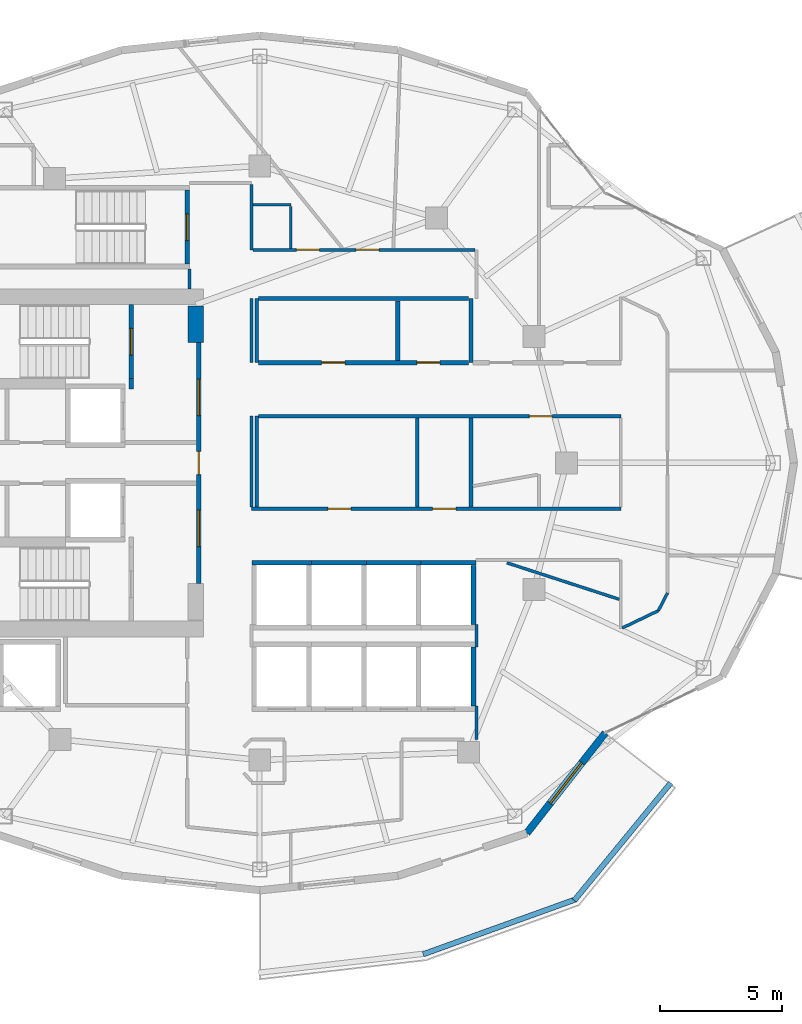
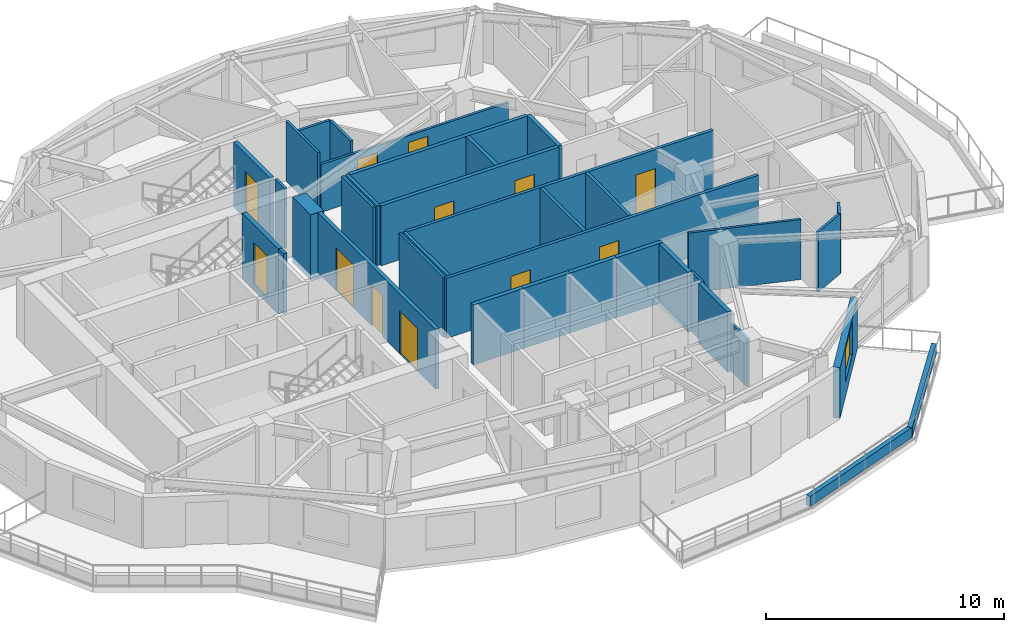
# One storey, part 7 of 13: 36 walls, 12 doors, 1 window, 13 openings.
"""IFC4 building model written with IfcOpenShell, lengths in metres."""

from ifc_helpers import new_model, si_unit, direction, frame, frame_2d, origin, place, context, subcontext, project, spatial, rectangle, extrude, material, layer, layer_set, type_object, element, fill, save


model = new_model("IFC4")

# Units and contexts
model_context = context("Model", 3, precision=1e-05, world=origin(), true_north=direction((0.0, 1.0)))
body_context = subcontext(model_context, "Body", "Model", "MODEL_VIEW")
ifc_project = project(units=[si_unit("LENGTHUNIT", "METRE"), si_unit("AREAUNIT", "SQUARE_METRE"), si_unit("VOLUMEUNIT", "CUBIC_METRE"), si_unit("PLANEANGLEUNIT", "RADIAN"), si_unit("MASSUNIT", "GRAM", prefix="KILO")], contexts=[model_context])

# Site, building, storey
site_placement = place(None, origin())
site = spatial("IfcSite", under=ifc_project, at=site_placement, CompositionType="ELEMENT")
building_placement = place(site_placement, origin())
building = spatial("IfcBuilding", under=site, at=building_placement, Name="Kolvaren Gate Tower and Convention Centre", CompositionType="ELEMENT")
storey_placement = place(building_placement, frame((0.0, 0.0, 183.5)))
storey = spatial("IfcBuildingStorey", under=building, at=storey_placement, Name="L48", CompositionType="ELEMENT", Elevation=183.5)

# Wall
ifc_material_1 = material(Name="Autoclaved Aerated Masonry Blockwork Class 4 (4.0 MPa)", Category="masonry")
ifc_layer_1 = layer(ifc_material_1, 0.179931640625)
ifc_layer_set_1 = layer_set([ifc_layer_1], Name="Autoclaved Aerated Masonry Blockwork Class 4 (4.0 MPa)")
wall_type_1 = type_object("IfcWallType", Name="ARCH-WL-COMP-180", PredefinedType="SOLIDWALL", material=ifc_layer_set_1)
wall_1_placement = place(storey_placement, frame((24.85009765625, 30.0400390625, 0.0), z_axis=(0.0, 0.0, 1.0), x_axis=(0.0, 1.0, 0.0)))
element("IfcWall", 1, at=wall_1_placement, inside=storey, type_object=wall_type_1, Name="Interior Partition WL-L48-INT-002", PredefinedType="SOLIDWALL", context=body_context, shape_type="SweptSolid", body=[
    extrude(rectangle(XDim=0.419921875, YDim=0.179931640625, at=frame_2d((0.2099609375, 0.0))), origin(), (0.0, 0.0, 1.0), 3.080078125),
])

# Wall, openings, doors
wall_2_placement = place(storey_placement, frame((27.6201171875, 22.050048828125, 0.0), z_axis=(0.0, 0.0, 1.0), x_axis=(0.0, 1.0, 0.0)))
wall_2 = element("IfcWall", 2, at=wall_2_placement, inside=storey, type_object=wall_type_1, Name="Interior Partition WL-L48-INT-003", PredefinedType="SOLIDWALL", context=body_context, shape_type="SweptSolid", body=[
    extrude(rectangle(XDim=9.89990234375, YDim=0.179931640625, at=frame_2d((4.949951171875, 0.0))), origin(), (0.0, 0.0, 1.0), 3.080078125),
])
opening_1_placement = place(wall_2_placement, frame((4.47509765625, 0.0, 0.0)))
opening_1 = element("IfcOpeningElement", 3, at=opening_1_placement, cuts=wall_2, Name="Opening DR-01", PredefinedType="OPENING", context=body_context, shape_type="SweptSolid", body=[
    extrude(rectangle(XDim=0.949951171875, YDim=2.10009765625, at=frame_2d((0.47509765625, 1.050048828125))), frame((0.0, 0.099853515625, 0.0), z_axis=(0.0, -1.0, 0.0), x_axis=(1.0, 0.0, 0.0)), (0.0, 0.0, 1.0), 0.199951171875),
])
opening_2_placement = place(wall_2_placement, frame((6.889892578125, 0.0, 0.0)))
opening_2 = element("IfcOpeningElement", 4, at=opening_2_placement, cuts=wall_2, Name="Opening DL-01", PredefinedType="OPENING", context=body_context, shape_type="SweptSolid", body=[
    extrude(rectangle(XDim=1.5, YDim=2.199951171875, at=frame_2d((0.75, 1.10009765625))), frame((0.0, 0.099853515625, 0.0), z_axis=(0.0, -1.0, 0.0), x_axis=(1.0, 0.0, 0.0)), (0.0, 0.0, 1.0), 0.199951171875),
])
opening_3_placement = place(wall_2_placement, frame((1.510009765625, 0.0, 0.0)))
opening_3 = element("IfcOpeningElement", 5, at=opening_3_placement, cuts=wall_2, Name="Opening DL-01", PredefinedType="OPENING", context=body_context, shape_type="SweptSolid", body=[
    extrude(rectangle(XDim=1.5, YDim=2.199951171875, at=frame_2d((0.75, 1.10009765625))), frame((0.0, 0.099853515625, 0.0), z_axis=(0.0, -1.0, 0.0), x_axis=(1.0, 0.0, 0.0)), (0.0, 0.0, 1.0), 0.199951171875),
])
ifc_material_2 = material(Name="Painted Architectural Steelwork ASTM A500 Grade C 345 MPa", Category="steel")
door_type_1 = type_object("IfcDoorType", Name="ARCH-DR-LOBBY-1500", OperationType="DOUBLE_DOOR_SINGLE_SWING", PredefinedType="DOOR", material=ifc_material_2)
door_1_placement = place(opening_2_placement, origin())
door_1 = element("IfcDoor", 6, at=door_1_placement, inside=storey, type_object=door_type_1, Name="North Firefighting Stair and Lift Lobby Door", OperationType="DOUBLE_DOOR_SINGLE_SWING", OverallHeight=2.199951171875, OverallWidth=1.5, PredefinedType="DOOR", context=body_context, shape_type="SweptSolid", body=[
    extrude(rectangle(XDim=1.5, YDim=2.199951171875, at=frame_2d((0.75, 1.10009765625))), frame((0.0, 0.02490234375, 0.0), z_axis=(0.0, -1.0, 0.0), x_axis=(1.0, 0.0, 0.0)), (0.0, 0.0, 1.0), 0.050048828125),
])
fill(opening_2, door_1)
door_2_placement = place(opening_3_placement, origin())
door_2 = element("IfcDoor", 7, at=door_2_placement, inside=storey, type_object=door_type_1, Name="South Firefighting Stair and Lift Lobby Door", OperationType="DOUBLE_DOOR_SINGLE_SWING", OverallHeight=2.199951171875, OverallWidth=1.5, PredefinedType="DOOR", context=body_context, shape_type="SweptSolid", body=[
    extrude(rectangle(XDim=1.5, YDim=2.199951171875, at=frame_2d((0.75, 1.10009765625))), frame((0.0, 0.02490234375, 0.0), z_axis=(0.0, -1.0, 0.0), x_axis=(1.0, 0.0, 0.0)), (0.0, 0.0, 1.0), 0.050048828125),
])
fill(opening_3, door_2)
door_type_2 = type_object("IfcDoorType", Name="ARCH-DR-RISER-950", OperationType="SINGLE_SWING_RIGHT", PredefinedType="DOOR", material=ifc_material_2)
door_3_placement = place(opening_1_placement, origin())
door_3 = element("IfcDoor", 8, at=door_3_placement, inside=storey, type_object=door_type_2, Name="Central MEP Service Corridor Door", OperationType="SINGLE_SWING_LEFT", OverallHeight=2.10009765625, OverallWidth=0.949951171875, PredefinedType="DOOR", context=body_context, shape_type="SweptSolid", body=[
    extrude(rectangle(XDim=0.949951171875, YDim=2.10009765625, at=frame_2d((0.47509765625, 1.050048828125))), frame((0.0, 0.02490234375, 0.0), z_axis=(0.0, -1.0, 0.0), x_axis=(1.0, 0.0, 0.0)), (0.0, 0.0, 1.0), 0.050048828125),
])
fill(opening_1, door_3)

# Wall
wall_3_placement = place(storey_placement, frame((38.800048828125, 31.1201171875, 0.0), z_axis=(0.0, 0.0, 1.0), x_axis=(0.0, 1.0, 0.0)))
element("IfcWall", 9, at=wall_3_placement, inside=storey, type_object=wall_type_1, Name="Interior Partition WL-L48-INT-018", PredefinedType="SOLIDWALL", context=body_context, shape_type="SweptSolid", body=[
    extrude(rectangle(XDim=2.6298828125, YDim=0.179931640625, at=frame_2d((1.31494140625, 0.0))), origin(), (0.0, 0.0, 1.0), 3.080078125),
])

# Wall, openings, doors
wall_4_placement = place(storey_placement, frame((30.076904296875, 31.1201171875, 0.0), z_axis=(0.0, 0.0, 1.0), x_axis=(1.0, 0.0, 0.0)))
wall_4 = element("IfcWall", 10, at=wall_4_placement, inside=storey, type_object=wall_type_1, Name="Interior Partition WL-L48-INT-019", PredefinedType="SOLIDWALL", context=body_context, shape_type="SweptSolid", body=[
    extrude(rectangle(XDim=8.631103515625, YDim=0.179931640625, at=frame_2d((4.3154296875, 0.0))), origin(), (0.0, 0.0, 1.0), 3.080078125),
])
opening_4_placement = place(wall_4_placement, frame((2.591552734375, 0.0, 0.0)))
opening_4 = element("IfcOpeningElement", 11, at=opening_4_placement, cuts=wall_4, Name="Opening DR-01", PredefinedType="OPENING", context=body_context, shape_type="SweptSolid", body=[
    extrude(rectangle(XDim=0.949951171875, YDim=2.10009765625, at=frame_2d((0.47509765625, 1.050048828125))), frame((0.0, 0.099853515625, 0.0), z_axis=(0.0, -1.0, 0.0), x_axis=(1.0, 0.0, 0.0)), (0.0, 0.0, 1.0), 0.199951171875),
])
opening_5_placement = place(wall_4_placement, frame((6.4970703125, 0.0, 0.0)))
opening_5 = element("IfcOpeningElement", 12, at=opening_5_placement, cuts=wall_4, Name="Opening DR-01", PredefinedType="OPENING", context=body_context, shape_type="SweptSolid", body=[
    extrude(rectangle(XDim=0.949951171875, YDim=2.10009765625, at=frame_2d((0.47509765625, 1.050048828125))), frame((0.0, 0.099853515625, 0.0), z_axis=(0.0, -1.0, 0.0), x_axis=(1.0, 0.0, 0.0)), (0.0, 0.0, 1.0), 0.199951171875),
])
door_4_placement = place(opening_4_placement, origin())
door_4 = element("IfcDoor", 13, at=door_4_placement, inside=storey, type_object=door_type_2, Name="Steward Supply Store Door", OperationType="SINGLE_SWING_LEFT", OverallHeight=2.10009765625, OverallWidth=0.949951171875, PredefinedType="DOOR", context=body_context, shape_type="SweptSolid", body=[
    extrude(rectangle(XDim=0.949951171875, YDim=2.10009765625, at=frame_2d((0.47509765625, 1.050048828125))), frame((0.0, 0.02490234375, 0.0), z_axis=(0.0, -1.0, 0.0), x_axis=(1.0, 0.0, 0.0)), (0.0, 0.0, 1.0), 0.050048828125),
])
fill(opening_4, door_4)
door_5_placement = place(opening_5_placement, origin())
door_5 = element("IfcDoor", 14, at=door_5_placement, inside=storey, type_object=door_type_2, Name="Floor Telecom Switch Room Door", OperationType="SINGLE_SWING_RIGHT", OverallHeight=2.10009765625, OverallWidth=0.949951171875, PredefinedType="DOOR", context=body_context, shape_type="SweptSolid", body=[
    extrude(rectangle(XDim=0.949951171875, YDim=2.10009765625, at=frame_2d((0.47509765625, 1.050048828125))), frame((0.0, 0.02490234375, 0.0), z_axis=(0.0, -1.0, 0.0), x_axis=(1.0, 0.0, 0.0)), (0.0, 0.0, 1.0), 0.050048828125),
])
fill(opening_5, door_5)

# Walls
wall_5_placement = place(storey_placement, frame((30.076904296875, 33.75, 0.0), z_axis=(0.0, 0.0, 1.0), x_axis=(1.0, 0.0, 0.0)))
element("IfcWall", 15, at=wall_5_placement, inside=storey, type_object=wall_type_1, Name="Interior Partition WL-L48-INT-020", PredefinedType="SOLIDWALL", context=body_context, shape_type="SweptSolid", body=[
    extrude(rectangle(XDim=8.631103515625, YDim=0.179931640625, at=frame_2d((4.3154296875, 0.0))), origin(), (0.0, 0.0, 1.0), 3.080078125),
])
wall_6_placement = place(storey_placement, frame((35.800048828125, 31.2119140625, 0.0), z_axis=(0.0, 0.0, 1.0), x_axis=(0.0, 1.0, 0.0)))
element("IfcWall", 16, at=wall_6_placement, inside=storey, type_object=wall_type_1, Name="Interior Partition WL-L48-INT-021", PredefinedType="SOLIDWALL", context=body_context, shape_type="SweptSolid", body=[
    extrude(rectangle(XDim=2.446044921875, YDim=0.179931640625, at=frame_2d((1.22314453125, 0.0))), origin(), (0.0, 0.0, 1.0), 3.080078125),
])
ifc_material_3 = material(Name="Fire-Rated Acoustic Gypsum Stud Partition", Category="gypsum")
ifc_layer_2 = layer(ifc_material_3, 0.1201171875)
ifc_layer_set_2 = layer_set([ifc_layer_2], Name="Fire-Rated Acoustic Gypsum Stud Partition")
wall_type_2 = type_object("IfcWallType", Name="ARCH-WL-PART-120", PredefinedType="PARTITIONING", material=ifc_layer_set_2)
wall_7_placement = place(storey_placement, frame((39.02001953125, 15.64990234375, 0.0), z_axis=(0.0, 0.0, 1.0), x_axis=(0.0, 1.0, 0.0)))
element("IfcWall", 17, at=wall_7_placement, inside=storey, type_object=wall_type_2, Name="Interior Partition WL-L48-INT-022", PredefinedType="PARTITIONING", context=body_context, shape_type="SweptSolid", body=[
    extrude(rectangle(XDim=1.360107421875, YDim=0.1201171875, at=frame_2d((0.68017578125, 0.0))), origin(), (0.0, 0.0, 1.0), 2.455078125),
])
wall_8_placement = place(storey_placement, frame((39.02001953125, 19.43994140625, 0.0), z_axis=(0.0, 0.0, 1.0), x_axis=(0.0, 1.0, 0.0)))
element("IfcWall", 18, at=wall_8_placement, inside=storey, type_object=wall_type_2, Name="Interior Partition WL-L48-INT-022 (2)", PredefinedType="PARTITIONING", context=body_context, shape_type="SweptSolid", body=[
    extrude(rectangle(XDim=0.920166015625, YDim=0.1201171875, at=frame_2d((0.4599609375, 0.0))), origin(), (0.0, 0.0, 1.0), 3.080078125),
])
wall_9_placement = place(storey_placement, frame((27.25, 34.152099609375, 0.0), z_axis=(0.0, 0.0, 1.0), x_axis=(0.0, 1.0, 0.0)))
element("IfcWall", 19, at=wall_9_placement, inside=storey, type_object=wall_type_2, Name="Interior Partition WL-L48-INT-029", PredefinedType="PARTITIONING", context=body_context, shape_type="SweptSolid", body=[
    extrude(rectangle(XDim=0.805908203125, YDim=0.1201171875, at=frame_2d((0.40283203125, 0.0))), origin(), (0.0, 0.0, 1.0), 3.080078125),
])
wall_10_placement = place(storey_placement, frame((29.780029296875, 25.197021484375, 0.0), z_axis=(0.0, 0.0, 1.0), x_axis=(0.0, 1.0, 0.0)))
element("IfcWall", 20, at=wall_10_placement, inside=storey, type_object=wall_type_2, Name="Interior Partition WL-L48-INT-032", PredefinedType="PARTITIONING", context=body_context, shape_type="SweptSolid", body=[
    extrude(rectangle(XDim=3.722900390625, YDim=0.1201171875, at=frame_2d((1.861328125, 0.0))), origin(), (0.0, 0.0, 1.0), 3.080078125),
])
wall_11_placement = place(storey_placement, frame((29.780029296875, 31.1201171875, 0.0), z_axis=(0.0, 0.0, 1.0), x_axis=(0.0, 1.0, 0.0)))
element("IfcWall", 21, at=wall_11_placement, inside=storey, type_object=wall_type_2, Name="Interior Partition WL-L48-INT-033", PredefinedType="PARTITIONING", context=body_context, shape_type="SweptSolid", body=[
    extrude(rectangle(XDim=2.6298828125, YDim=0.1201171875, at=frame_2d((1.31494140625, 0.0))), origin(), (0.0, 0.0, 1.0), 3.080078125),
])
wall_12_placement = place(storey_placement, frame((29.780029296875, 35.75, 0.0), z_axis=(0.0, 0.0, 1.0), x_axis=(0.0, 1.0, 0.0)))
element("IfcWall", 22, at=wall_12_placement, inside=storey, type_object=wall_type_2, Name="Interior Partition WL-L48-INT-034", PredefinedType="PARTITIONING", context=body_context, shape_type="SweptSolid", body=[
    extrude(rectangle(XDim=2.68798828125, YDim=0.1201171875, at=frame_2d((1.343994140625, 0.0))), origin(), (0.0, 0.0, 1.0), 3.080078125),
])

# Wall, openings, doors
wall_13_placement = place(storey_placement, frame((29.842041015625, 35.75, 0.0), z_axis=(0.0, 0.0, 1.0), x_axis=(1.0, 0.0, 0.0)))
wall_13 = element("IfcWall", 23, at=wall_13_placement, inside=storey, type_object=wall_type_2, Name="Interior Partition WL-L48-INT-035", PredefinedType="PARTITIONING", context=body_context, shape_type="SweptSolid", body=[
    extrude(rectangle(XDim=9.115966796875, YDim=0.1201171875, at=frame_2d((4.55810546875, 0.0))), origin(), (0.0, 0.0, 1.0), 2.455078125),
])
opening_6_placement = place(wall_13_placement, frame((4.240478515625, 0.0, 0.0)))
opening_6 = element("IfcOpeningElement", 24, at=opening_6_placement, cuts=wall_13, Name="Opening DR-01", PredefinedType="OPENING", context=body_context, shape_type="SweptSolid", body=[
    extrude(rectangle(XDim=0.949951171875, YDim=2.10009765625, at=frame_2d((0.47509765625, 1.050048828125))), frame((0.0, 0.070068359375, 0.0), z_axis=(0.0, -1.0, 0.0), x_axis=(1.0, 0.0, 0.0)), (0.0, 0.0, 1.0), 0.14013671875),
])
opening_7_placement = place(wall_13_placement, frame((1.784912109375, 0.0, 0.0)))
opening_7 = element("IfcOpeningElement", 25, at=opening_7_placement, cuts=wall_13, Name="Opening DR-01", PredefinedType="OPENING", context=body_context, shape_type="SweptSolid", body=[
    extrude(rectangle(XDim=0.949951171875, YDim=2.10009765625, at=frame_2d((0.47509765625, 1.050048828125))), frame((0.0, 0.070068359375, 0.0), z_axis=(0.0, -1.0, 0.0), x_axis=(1.0, 0.0, 0.0)), (0.0, 0.0, 1.0), 0.14013671875),
])
door_6_placement = place(opening_6_placement, origin())
door_6 = element("IfcDoor", 26, at=door_6_placement, inside=storey, type_object=door_type_2, Name="Hotel Botanical Clubroom Door", OperationType="SINGLE_SWING_LEFT", OverallHeight=2.10009765625, OverallWidth=0.949951171875, PredefinedType="DOOR", context=body_context, shape_type="SweptSolid", body=[
    extrude(rectangle(XDim=0.949951171875, YDim=2.10009765625, at=frame_2d((0.47509765625, 1.050048828125))), frame((0.0, 0.02490234375, 0.0), z_axis=(0.0, -1.0, 0.0), x_axis=(1.0, 0.0, 0.0)), (0.0, 0.0, 1.0), 0.050048828125),
])
fill(opening_6, door_6)
door_7_placement = place(opening_7_placement, origin())
door_7 = element("IfcDoor", 27, at=door_7_placement, inside=storey, type_object=door_type_2, Name="Hotel Guest Room (HTL-L48-08) Door", OperationType="SINGLE_SWING_RIGHT", OverallHeight=2.10009765625, OverallWidth=0.949951171875, PredefinedType="DOOR", context=body_context, shape_type="SweptSolid", body=[
    extrude(rectangle(XDim=0.949951171875, YDim=2.10009765625, at=frame_2d((0.47509765625, 1.050048828125))), frame((0.0, 0.02490234375, 0.0), z_axis=(0.0, -1.0, 0.0), x_axis=(1.0, 0.0, 0.0)), (0.0, 0.0, 1.0), 0.050048828125),
])
fill(opening_7, door_7)

# Walls
wall_14_placement = place(storey_placement, frame((46.493896484375, 20.93408203125, 0.0), z_axis=(0.0, 0.0, 1.0), x_axis=(0.460674892026, 0.887568951607, 0.0)))
element("IfcWall", 28, at=wall_14_placement, inside=storey, type_object=wall_type_2, Name="Interior Partition WL-L48-INT-042", PredefinedType="PARTITIONING", context=body_context, shape_type="SweptSolid", body=[
    extrude(rectangle(XDim=0.816650390625, YDim=0.1201171875, at=frame_2d((0.408203125, 0.0))), origin(), (0.0, 0.0, 1.0), 3.080078125),
])
wall_15_placement = place(storey_placement, frame((45.011962890625, 20.2216796875, 0.0), z_axis=(0.0, 0.0, 1.0), x_axis=(0.901268034538, 0.433261964544, 0.0)))
element("IfcWall", 29, at=wall_15_placement, inside=storey, type_object=wall_type_2, Name="Interior Partition WL-L48-INT-043", PredefinedType="PARTITIONING", context=body_context, shape_type="SweptSolid", body=[
    extrude(rectangle(XDim=1.644287109375, YDim=0.1201171875, at=frame_2d((0.822265625, 0.0))), origin(), (0.0, 0.0, 1.0), 3.080078125),
])
wall_16_placement = place(storey_placement, frame((29.842041015625, 37.60009765625, 0.0), z_axis=(0.0, 0.0, 1.0), x_axis=(1.0, 0.0, 0.0)))
element("IfcWall", 30, at=wall_16_placement, inside=storey, type_object=wall_type_2, Name="Interior Partition WL-L48-INT-050", PredefinedType="PARTITIONING", context=body_context, shape_type="SweptSolid", body=[
    extrude(rectangle(XDim=1.557861328125, YDim=0.1201171875, at=frame_2d((0.77880859375, 0.0))), origin(), (0.0, 0.0, 1.0), 3.080078125),
])
wall_17_placement = place(storey_placement, frame((31.39990234375, 35.81201171875, 0.0), z_axis=(0.0, 0.0, 1.0), x_axis=(0.0, 1.0, 0.0)))
element("IfcWall", 31, at=wall_17_placement, inside=storey, type_object=wall_type_2, Name="Interior Partition WL-L48-INT-052", PredefinedType="PARTITIONING", context=body_context, shape_type="SweptSolid", body=[
    extrude(rectangle(XDim=1.72607421875, YDim=0.1201171875, at=frame_2d((0.863037109375, 0.0))), origin(), (0.0, 0.0, 1.0), 3.080078125),
])
wall_18_placement = place(storey_placement, frame((40.277587890625, 22.89794921875, 0.0), z_axis=(0.0, 0.0, 1.0), x_axis=(0.951068113263, -0.3089813003, 0.0)))
element("IfcWall", 32, at=wall_18_placement, inside=storey, type_object=wall_type_2, Name="Interior Partition WL-L48-INT-053", PredefinedType="PARTITIONING", context=body_context, shape_type="SweptSolid", body=[
    extrude(rectangle(XDim=4.84765625, YDim=0.1201171875, at=frame_2d((2.423828125, 0.0))), origin(), (0.0, 0.0, 1.0), 3.080078125),
])
ifc_material_4 = material(Name="Piedmont Cream Honed Limestone Cladding", Category="masonry")
ifc_layer_3 = layer(ifc_material_4, 0.219970703125)
ifc_layer_set_3 = layer_set([ifc_layer_3], Name="Piedmont Cream Honed Limestone Cladding")
wall_type_3 = type_object("IfcWallType", Name="ARCH-WL-PLANTER-220", PredefinedType="PARAPET", material=ifc_layer_set_3)
wall_19_placement = place(storey_placement, frame((36.836669921875, 6.826171875, 0.0), z_axis=(0.0, 0.0, 1.0), x_axis=(0.940948576924, 0.338549517184, 0.0)))
element("IfcWall", 33, at=wall_19_placement, inside=storey, type_object=wall_type_3, Name="Vertical-Forest Balcony Stone Planter Kerb PK-L48-3.2", PredefinedType="PARAPET", context=body_context, shape_type="SweptSolid", body=[
    extrude(rectangle(XDim=6.6640625, YDim=0.219970703125, at=frame_2d((3.33203125, 0.0))), origin(), (0.0, 0.0, 1.0), 0.52001953125),
])
wall_20_placement = place(storey_placement, frame((43.0419921875, 9.03564453125, 0.0), z_axis=(0.0, 0.0, 1.0), x_axis=(0.634429234628, 0.77298094818, 0.0)))
element("IfcWall", 34, at=wall_20_placement, inside=storey, type_object=wall_type_3, Name="Vertical-Forest Balcony Stone Planter Kerb PK-L48-3.3", PredefinedType="PARAPET", context=body_context, shape_type="SweptSolid", body=[
    extrude(rectangle(XDim=6.244873046875, YDim=0.219970703125, at=frame_2d((3.12255859375, 0.0))), origin(), (0.0, 0.0, 1.0), 0.52001953125),
])
ifc_layer_4 = layer(ifc_material_1, 0.199951171875)
ifc_layer_set_4 = layer_set([ifc_layer_4], Name="Autoclaved Aerated Masonry Blockwork Class 4 (4.0 MPa)")
wall_type_4 = type_object("IfcWallType", Name="ARCH-WL-SHAFT-200", PredefinedType="SOLIDWALL", material=ifc_layer_set_4)
wall_21_placement = place(storey_placement, frame((38.89990234375, 17.010009765625, 0.0), z_axis=(0.0, 0.0, 1.0), x_axis=(0.0, 1.0, 0.0)))
element("IfcWall", 35, at=wall_21_placement, inside=storey, type_object=wall_type_4, Name="Elevator PL-08 L48 Fire Shaft Wall E", PredefinedType="SOLIDWALL", context=body_context, shape_type="SweptSolid", body=[
    extrude(rectangle(XDim=2.429931640625, YDim=0.199951171875, at=frame_2d((1.21484375, 0.0))), origin(), (0.0, 0.0, 1.0), 3.080078125),
])
wall_22_placement = place(storey_placement, frame((29.800048828125, 22.89990234375, 0.0), z_axis=(0.0, 0.0, 1.0), x_axis=(1.0, 0.0, 0.0)))
element("IfcWall", 36, at=wall_22_placement, inside=storey, type_object=wall_type_4, Name="Elevator PL-09 L48 Fire Shaft Wall N", PredefinedType="SOLIDWALL", context=body_context, shape_type="SweptSolid", body=[
    extrude(rectangle(XDim=2.449951171875, YDim=0.199951171875, at=frame_2d((1.22509765625, 0.0))), origin(), (0.0, 0.0, 1.0), 3.080078125),
])
for number, where, z_axis, x_axis, name in (
    (37, (32.25, 22.89990234375, 0.0), (0.0, 0.0, 1.0), (1.0, 0.0, 0.0), "Elevator PL-10 L48 Fire Shaft Wall N"),
    (38, (34.5, 22.89990234375, 0.0), (0.0, 0.0, 1.0), (1.0, 0.0, 0.0), "Elevator PL-11 L48 Fire Shaft Wall N"),
    (39, (36.75, 22.89990234375, 0.0), (0.0, 0.0, 1.0), (1.0, 0.0, 0.0), "Elevator PL-12 L48 Fire Shaft Wall N"),
):
    element("IfcWall", number, at=place(storey_placement, frame(where, z_axis=z_axis, x_axis=x_axis)), inside=storey, type_object=wall_type_4, Name=name, PredefinedType="SOLIDWALL", context=body_context, shape_type="SweptSolid", body=[
        extrude(rectangle(XDim=2.25, YDim=0.199951171875, at=frame_2d((1.125, 0.0))), origin(), (0.0, 0.0, 1.0), 3.080078125),
    ])
wall_23_placement = place(storey_placement, frame((38.89990234375, 20.360107421875, 0.0), z_axis=(0.0, 0.0, 1.0), x_axis=(0.0, 1.0, 0.0)))
element("IfcWall", 40, at=wall_23_placement, inside=storey, type_object=wall_type_4, Name="Elevator PL-12 L48 Fire Shaft Wall E", PredefinedType="SOLIDWALL", context=body_context, shape_type="SweptSolid", body=[
    extrude(rectangle(XDim=2.429931640625, YDim=0.199951171875, at=frame_2d((1.21484375, 0.0))), origin(), (0.0, 0.0, 1.0), 3.080078125),
])

# Wall, opening, window
ifc_layer_5 = layer(ifc_material_4, 0.300048828125)
ifc_layer_set_5 = layer_set([ifc_layer_5], Name="Piedmont Cream Honed Limestone Cladding")
wall_type_5 = type_object("IfcWallType", Name="ARCH-WL-STONE-300", PredefinedType="SOLIDWALL", material=ifc_layer_set_5)
wall_24_placement = place(storey_placement, frame((41.09375, 11.80126953125, 0.0), z_axis=(0.0, 0.0, 1.0), x_axis=(0.616429245738, 0.787410302828, 0.0)))
wall_24 = element("IfcWall", 41, at=wall_24_placement, inside=storey, type_object=wall_type_5, Name="Tower L48 Honed Stone Spandrel Wall EW-20", PredefinedType="SOLIDWALL", context=body_context, shape_type="SweptSolid", body=[
    extrude(rectangle(XDim=5.22314453125, YDim=0.300048828125, at=frame_2d((2.611572265625, 0.0))), origin(), (0.0, 0.0, 1.0), 2.60302734375),
])
opening_8_placement = place(wall_24_placement, frame((1.56201171875, 0.0, 0.739990234375)))
opening_8 = element("IfcOpeningElement", 42, at=opening_8_placement, cuts=wall_24, Name="Opening W-02", PredefinedType="OPENING", context=body_context, shape_type="SweptSolid", body=[
    extrude(rectangle(XDim=2.10009765625, YDim=1.699951171875, at=frame_2d((1.050048828125, 0.85009765625))), frame((0.0, 0.159912109375, 0.0), z_axis=(0.0, -1.0, 0.0), x_axis=(1.0, 0.0, 0.0)), (0.0, 0.0, 1.0), 0.320068359375),
])
ifc_material_5 = material(Name="Low-E Triple Insulated Glazing Unit 44 mm", Category="glass")
window_type = type_object("IfcWindowType", Name="ARCH-WN-HTL-2100", PartitioningType="SINGLE_PANEL", PredefinedType="WINDOW", material=ifc_material_5)
window_placement = place(opening_8_placement, origin())
window = element("IfcWindow", 43, at=window_placement, inside=storey, type_object=window_type, Name="Tower L48 Punched Stone Facade Window W-20", OverallHeight=1.699951171875, OverallWidth=2.10009765625, PartitioningType="SINGLE_PANEL", PredefinedType="WINDOW", context=body_context, shape_type="SweptSolid", body=[
    extrude(rectangle(XDim=2.10009765625, YDim=1.699951171875, at=frame_2d((1.050048828125, 0.85009765625))), frame((0.0, 0.030029296875, 0.0), z_axis=(0.0, -1.0, 0.0), x_axis=(1.0, 0.0, 0.0)), (0.0, 0.0, 1.0), 0.06005859375),
])
fill(opening_8, window)

# Wall, openings, doors
ifc_material_6 = material(Name="Moisture-Resistant Cement-Board Acoustic Partition", Category="gypsum")
ifc_layer_6 = layer(ifc_material_6, 0.14990234375)
ifc_layer_set_6 = layer_set([ifc_layer_6], Name="Moisture-Resistant Cement-Board Acoustic Partition")
wall_type_6 = type_object("IfcWallType", Name="ARCH-WL-WET-150", PredefinedType="PARTITIONING", material=ifc_layer_set_6)
wall_25_placement = place(storey_placement, frame((29.780029296875, 25.1201171875, 0.0), z_axis=(0.0, 0.0, 1.0), x_axis=(1.0, 0.0, 0.0)))
wall_25 = element("IfcWall", 44, at=wall_25_placement, inside=storey, type_object=wall_type_6, Name="Interior Partition WL-L48-INT-012", PredefinedType="PARTITIONING", context=body_context, shape_type="SweptSolid", body=[
    extrude(rectangle(XDim=15.169921875, YDim=0.14990234375, at=frame_2d((7.5849609375, 0.0))), origin(), (0.0, 0.0, 1.0), 3.080078125),
])
opening_9_placement = place(wall_25_placement, frame((3.139892578125, 0.0, 0.0)))
opening_9 = element("IfcOpeningElement", 45, at=opening_9_placement, cuts=wall_25, Name="Opening DR-01", PredefinedType="OPENING", context=body_context, shape_type="SweptSolid", body=[
    extrude(rectangle(XDim=0.949951171875, YDim=2.10009765625, at=frame_2d((0.47509765625, 1.050048828125))), frame((0.0, 0.0849609375, 0.0), z_axis=(0.0, -1.0, 0.0), x_axis=(1.0, 0.0, 0.0)), (0.0, 0.0, 1.0), 0.169921875),
])
opening_10_placement = place(wall_25_placement, frame((7.445068359375, 0.0, 0.0)))
opening_10 = element("IfcOpeningElement", 46, at=opening_10_placement, cuts=wall_25, Name="Opening DR-01", PredefinedType="OPENING", context=body_context, shape_type="SweptSolid", body=[
    extrude(rectangle(XDim=0.949951171875, YDim=2.10009765625, at=frame_2d((0.47509765625, 1.050048828125))), frame((0.0, 0.0849609375, 0.0), z_axis=(0.0, -1.0, 0.0), x_axis=(1.0, 0.0, 0.0)), (0.0, 0.0, 1.0), 0.169921875),
])
door_8_placement = place(opening_9_placement, origin())
door_8 = element("IfcDoor", 47, at=door_8_placement, inside=storey, type_object=door_type_2, Name="Accessible Universal Washroom Door", OperationType="SINGLE_SWING_LEFT", OverallHeight=2.10009765625, OverallWidth=0.949951171875, PredefinedType="DOOR", context=body_context, shape_type="SweptSolid", body=[
    extrude(rectangle(XDim=0.949951171875, YDim=2.10009765625, at=frame_2d((0.47509765625, 1.050048828125))), frame((0.0, 0.02490234375, 0.0), z_axis=(0.0, -1.0, 0.0), x_axis=(1.0, 0.0, 0.0)), (0.0, 0.0, 1.0), 0.050048828125),
])
fill(opening_9, door_8)
door_9_placement = place(opening_10_placement, origin())
door_9 = element("IfcDoor", 48, at=door_9_placement, inside=storey, type_object=door_type_2, Name="Hotel Housekeeping and Linen Store Door", OperationType="SINGLE_SWING_RIGHT", OverallHeight=2.10009765625, OverallWidth=0.949951171875, PredefinedType="DOOR", context=body_context, shape_type="SweptSolid", body=[
    extrude(rectangle(XDim=0.949951171875, YDim=2.10009765625, at=frame_2d((0.47509765625, 1.050048828125))), frame((0.0, 0.02490234375, 0.0), z_axis=(0.0, -1.0, 0.0), x_axis=(1.0, 0.0, 0.0)), (0.0, 0.0, 1.0), 0.050048828125),
])
fill(opening_10, door_9)

# Walls
wall_26_placement = place(storey_placement, frame((30.0, 25.197021484375, 0.0), z_axis=(0.0, 0.0, 1.0), x_axis=(0.0, 1.0, 0.0)))
element("IfcWall", 49, at=wall_26_placement, inside=storey, type_object=wall_type_6, Name="Interior Partition WL-L48-INT-013", PredefinedType="PARTITIONING", context=body_context, shape_type="SweptSolid", body=[
    extrude(rectangle(XDim=3.722900390625, YDim=0.14990234375, at=frame_2d((1.861328125, 0.0))), origin(), (0.0, 0.0, 1.0), 3.080078125),
])
wall_27_placement = place(storey_placement, frame((30.0, 31.1201171875, 0.0), z_axis=(0.0, 0.0, 1.0), x_axis=(0.0, 1.0, 0.0)))
element("IfcWall", 50, at=wall_27_placement, inside=storey, type_object=wall_type_6, Name="Interior Partition WL-L48-INT-014", PredefinedType="PARTITIONING", context=body_context, shape_type="SweptSolid", body=[
    extrude(rectangle(XDim=2.6298828125, YDim=0.14990234375, at=frame_2d((1.31494140625, 0.0))), origin(), (0.0, 0.0, 1.0), 3.080078125),
])

# Wall, opening, door
wall_28_placement = place(storey_placement, frame((30.076904296875, 28.919921875, 0.0), z_axis=(0.0, 0.0, 1.0), x_axis=(1.0, 0.0, 0.0)))
wall_28 = element("IfcWall", 51, at=wall_28_placement, inside=storey, type_object=wall_type_6, Name="Interior Partition WL-L48-INT-015", PredefinedType="PARTITIONING", context=body_context, shape_type="SweptSolid", body=[
    extrude(rectangle(XDim=14.873046875, YDim=0.14990234375, at=frame_2d((7.4365234375, 0.0))), origin(), (0.0, 0.0, 1.0), 3.080078125),
])
opening_11_placement = place(wall_28_placement, frame((11.117919921875, 0.0, 0.0)))
opening_11 = element("IfcOpeningElement", 52, at=opening_11_placement, cuts=wall_28, Name="Opening DR-01", PredefinedType="OPENING", context=body_context, shape_type="SweptSolid", body=[
    extrude(rectangle(XDim=0.949951171875, YDim=2.10009765625, at=frame_2d((0.47509765625, 1.050048828125))), frame((0.0, 0.0849609375, 0.0), z_axis=(0.0, -1.0, 0.0), x_axis=(1.0, 0.0, 0.0)), (0.0, 0.0, 1.0), 0.169921875),
])
door_10_placement = place(opening_11_placement, origin())
door_10 = element("IfcDoor", 53, at=door_10_placement, inside=storey, type_object=door_type_2, Name="Sky Gastronomy Restaurant Door", OperationType="SINGLE_SWING_RIGHT", OverallHeight=2.10009765625, OverallWidth=0.949951171875, PredefinedType="DOOR", context=body_context, shape_type="SweptSolid", body=[
    extrude(rectangle(XDim=0.949951171875, YDim=2.10009765625, at=frame_2d((0.47509765625, 1.050048828125))), frame((0.0, 0.02490234375, 0.0), z_axis=(0.0, -1.0, 0.0), x_axis=(1.0, 0.0, 0.0)), (0.0, 0.0, 1.0), 0.050048828125),
])
fill(opening_11, door_10)

# Walls
for number, where, z_axis, x_axis, name in (
    (54, (36.60009765625, 25.197021484375, 0.0), (0.0, 0.0, 1.0), (0.0, 1.0, 0.0), "Interior Partition WL-L48-INT-016"),
    (55, (38.800048828125, 25.197021484375, 0.0), (0.0, 0.0, 1.0), (0.0, 1.0, 0.0), "Interior Partition WL-L48-INT-017"),
):
    element("IfcWall", number, at=place(storey_placement, frame(where, z_axis=z_axis, x_axis=x_axis)), inside=storey, type_object=wall_type_6, Name=name, PredefinedType="PARTITIONING", context=body_context, shape_type="SweptSolid", body=[
        extrude(rectangle(XDim=3.64599609375, YDim=0.14990234375, at=frame_2d((1.822998046875, 0.0))), origin(), (0.0, 0.0, 1.0), 3.080078125),
    ])
ifc_material_7 = material(Name="Concrete C60/75", Category="concrete")
ifc_layer_7 = layer(ifc_material_7, 0.64990234375)
ifc_layer_set_7 = layer_set([ifc_layer_7], Name="Concrete C60/75")
wall_type_7 = type_object("IfcWallType", Name="STR-WL-CORE-650", PredefinedType="SHEAR", material=ifc_layer_set_7)
wall_29_placement = place(storey_placement, frame((27.5, 31.949951171875, -0.27001953125), z_axis=(0.0, 0.0, 1.0), x_axis=(0.0, 1.0, 0.0)))
element("IfcWall", 56, at=wall_29_placement, inside=storey, type_object=wall_type_7, Name="Tower L48 Offset Core Shear Wall EN", PredefinedType="SHEAR", context=body_context, shape_type="SweptSolid", body=[
    extrude(rectangle(XDim=1.5, YDim=0.64990234375, at=frame_2d((0.75, 0.0))), origin(), (0.0, 0.0, 1.0), 3.35009765625),
])

# Wall, opening, door
ifc_material_8 = material(Name="Concrete C50/60", Category="concrete")
ifc_layer_8 = layer(ifc_material_8, 0.199951171875)
ifc_layer_set_8 = layer_set([ifc_layer_8], Name="Concrete C50/60")
wall_type_8 = type_object("IfcWallType", Name="STR-WL-SHAFT-200", PredefinedType="SHEAR", material=ifc_layer_set_8)
wall_30_placement = place(storey_placement, frame((24.85009765625, 30.4599609375, -0.27001953125), z_axis=(0.0, 0.0, 1.0), x_axis=(0.0, 1.0, 0.0)))
wall_30 = element("IfcWall", 57, at=wall_30_placement, inside=storey, type_object=wall_type_8, Name="Tower North Exit Stair ST-T1 L48 Structural Shear Enclosure Wall NEAR", PredefinedType="SHEAR", context=body_context, shape_type="SweptSolid", body=[
    extrude(rectangle(XDim=3.0380859375, YDim=0.199951171875, at=frame_2d((1.51904296875, 0.0))), origin(), (0.0, 0.0, 1.0), 3.35009765625),
])
opening_12_placement = place(wall_30_placement, frame((0.968994140625, 0.0, 0.27001953125)))
opening_12 = element("IfcOpeningElement", 58, at=opening_12_placement, cuts=wall_30, Name="Opening DS-01", PredefinedType="OPENING", context=body_context, shape_type="SweptSolid", body=[
    extrude(rectangle(XDim=1.10009765625, YDim=2.14990234375, at=frame_2d((0.550048828125, 1.074951171875))), frame((0.0, 0.10986328125, 0.0), z_axis=(0.0, -1.0, 0.0), x_axis=(1.0, 0.0, 0.0)), (0.0, 0.0, 1.0), 0.219970703125),
])
door_type_3 = type_object("IfcDoorType", Name="ARCH-DR-STAIR-1100", OperationType="SINGLE_SWING_LEFT", PredefinedType="DOOR", material=ifc_material_2)
door_11_placement = place(opening_12_placement, origin())
door_11 = element("IfcDoor", 59, at=door_11_placement, inside=storey, type_object=door_type_3, Name="Tower North Exit Stair ST-T1 L48 Fire Exit Stair Door", OperationType="SINGLE_SWING_RIGHT", OverallHeight=2.14990234375, OverallWidth=1.10009765625, PredefinedType="DOOR", context=body_context, shape_type="SweptSolid", body=[
    extrude(rectangle(XDim=1.10009765625, YDim=2.14990234375, at=frame_2d((0.550048828125, 1.074951171875))), frame((0.0, 0.02490234375, 0.0), z_axis=(0.0, -1.0, 0.0), x_axis=(1.0, 0.0, 0.0)), (0.0, 0.0, 1.0), 0.050048828125),
])
fill(opening_12, door_11)

wall_31_placement = place(storey_placement, frame((27.14990234375, 35.159912109375, -0.27001953125), z_axis=(0.0, 0.0, 1.0), x_axis=(0.0, 1.0, 0.0)))
wall_31 = element("IfcWall", 60, at=wall_31_placement, inside=storey, type_object=wall_type_8, Name="Tower Mid-Zone Exit Stair ST-T3 L48 Structural Shear Enclosure Wall NEAR", PredefinedType="SHEAR", context=body_context, shape_type="SweptSolid", body=[
    extrude(rectangle(XDim=3.0400390625, YDim=0.199951171875, at=frame_2d((1.52001953125, 0.0))), origin(), (0.0, 0.0, 1.0), 3.35009765625),
])
opening_13_placement = place(wall_31_placement, frame((0.969970703125, 0.0, 0.27001953125)))
opening_13 = element("IfcOpeningElement", 61, at=opening_13_placement, cuts=wall_31, Name="Opening DS-01", PredefinedType="OPENING", context=body_context, shape_type="SweptSolid", body=[
    extrude(rectangle(XDim=1.10009765625, YDim=2.14990234375, at=frame_2d((0.550048828125, 1.074951171875))), frame((0.0, 0.10986328125, 0.0), z_axis=(0.0, -1.0, 0.0), x_axis=(1.0, 0.0, 0.0)), (0.0, 0.0, 1.0), 0.219970703125),
])
door_12_placement = place(opening_13_placement, origin())
door_12 = element("IfcDoor", 62, at=door_12_placement, inside=storey, type_object=door_type_3, Name="Tower Mid-Zone Exit Stair ST-T3 L48 Fire Exit Stair Door", OperationType="SINGLE_SWING_RIGHT", OverallHeight=2.14990234375, OverallWidth=1.10009765625, PredefinedType="DOOR", context=body_context, shape_type="SweptSolid", body=[
    extrude(rectangle(XDim=1.10009765625, YDim=2.14990234375, at=frame_2d((0.550048828125, 1.074951171875))), frame((0.0, 0.02490234375, 0.0), z_axis=(0.0, -1.0, 0.0), x_axis=(1.0, 0.0, 0.0)), (0.0, 0.0, 1.0), 0.050048828125),
])
fill(opening_13, door_12)

save(model, "model.ifc")
